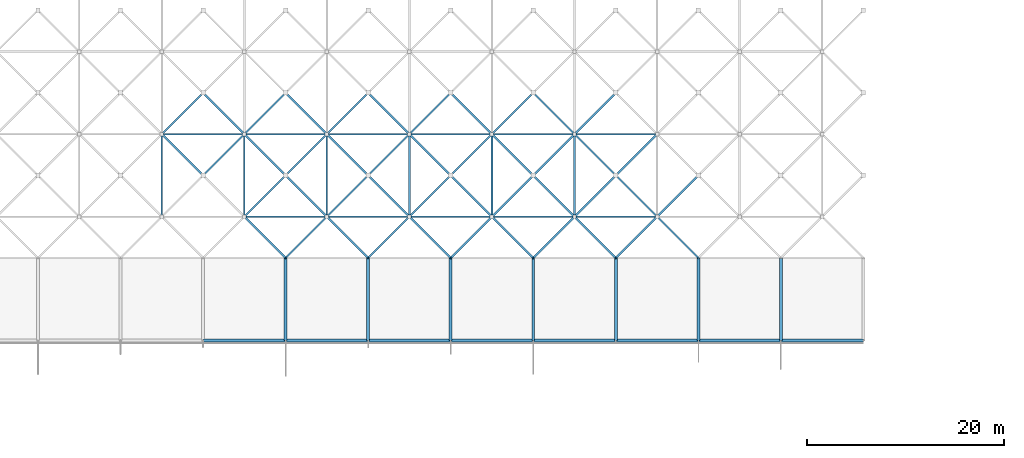
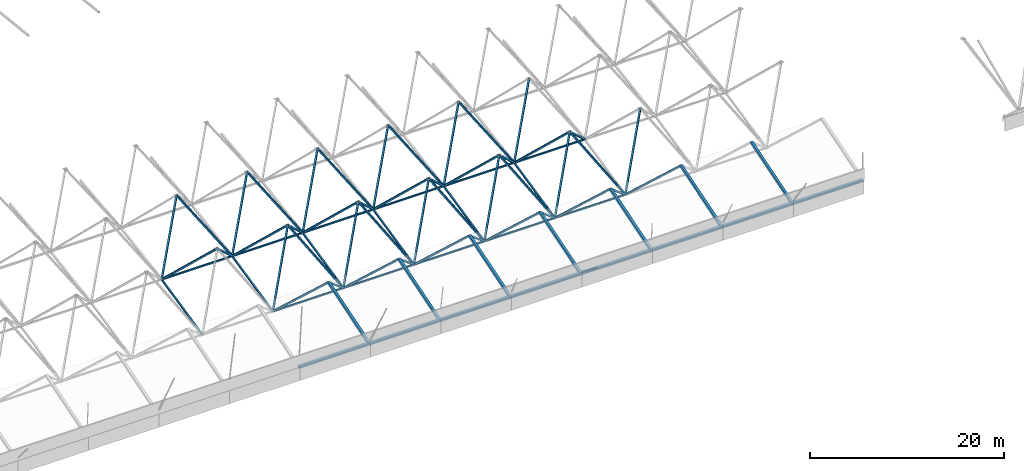
# One storey, part 16 of 85: 77 members.
"""IFC4 building model written with IfcOpenShell, lengths in metres."""

from ifc_helpers import new_model, si_unit, direction, frame, origin, origin_2d, place, context, subcontext, project, spatial, hollow_rectangle, extrude, material, material_profile, profile_set, type_object, element, save


model = new_model("IFC4")

# Units and contexts
model_context = context("Model", 3, precision=1e-05, world=origin(), true_north=direction((0.0, 1.0)))
body_context = subcontext(model_context, "Body", "Model", "MODEL_VIEW")
ifc_project = project(units=[si_unit("LENGTHUNIT", "METRE"), si_unit("AREAUNIT", "SQUARE_METRE"), si_unit("VOLUMEUNIT", "CUBIC_METRE"), si_unit("PLANEANGLEUNIT", "RADIAN"), si_unit("MASSUNIT", "GRAM", prefix="KILO")], contexts=[model_context])

# Site, building, storey
site_placement = place(None, origin())
site = spatial("IfcSite", under=ifc_project, at=site_placement, CompositionType="ELEMENT")
building_placement = place(site_placement, origin())
building = spatial("IfcBuilding", under=site, at=building_placement, Name="Rain Tree Exposition and Congress Centre", CompositionType="ELEMENT")
storey_placement = place(building_placement, frame((0.0, 0.0, 15.0)))
storey = spatial("IfcBuildingStorey", under=building, at=storey_placement, Name="L03", CompositionType="ELEMENT", Elevation=15.0)

# Members
ifc_material_1 = material(Name="Steel S355J2H", Category="steel")
ifc_material_profile_1 = material_profile(ifc_material_1, hollow_rectangle(XDim=0.199951171875, YDim=0.199951171875, WallThickness=0.009033203125, at=origin_2d()), Name="RHS 200x200x9")
ifc_profile_set_1 = profile_set([ifc_material_profile_1], Name="Steel S355J2H")
member_type_1 = type_object("IfcMemberType", Name="Steel brace member RHS 200x200x9", PredefinedType="BRACE", material=ifc_profile_set_1)
member_1_placement = place(storey_placement, frame((63.0, 113.39990234375, 0.732666015625), z_axis=(0.55295469561, -0.55295469561, 0.62328341002), x_axis=(0.707106781187, 0.707106781187, 0.0)))
element("IfcMember", 1, at=member_1_placement, inside=storey, type_object=member_type_1, Name="Diagonal 483", PredefinedType="BRACE", context=body_context, shape_type="SweptSolid", body=[
    extrude(hollow_rectangle(XDim=0.199951171875, YDim=0.199951171875, WallThickness=0.009033203125, at=origin_2d()), origin(), (0.0, 0.0, 1.0), 7.595458984375),
])
member_2_placement = place(storey_placement, frame((63.0, 113.39990234375, 0.732666015625), z_axis=(0.46355813556, 0.463585081915, 0.755117690682), x_axis=(-0.707127332136, 0.70708622964, 0.0)))
element("IfcMember", 2, at=member_2_placement, inside=storey, type_object=member_type_1, Name="Diagonal 485", PredefinedType="BRACE", context=body_context, shape_type="SweptSolid", body=[
    extrude(hollow_rectangle(XDim=0.199951171875, YDim=0.199951171875, WallThickness=0.009033203125, at=origin_2d()), origin(), (0.0, 0.0, 1.0), 9.060302734375),
])
member_3_placement = place(storey_placement, frame((71.39990234375, 113.39990234375, 0.732666015625), z_axis=(-0.55295469561, -0.55295469561, 0.62328341002), x_axis=(0.707106781187, -0.707106781187, 0.0)))
element("IfcMember", 3, at=member_3_placement, inside=storey, type_object=member_type_1, Name="Diagonal 488", PredefinedType="BRACE", context=body_context, shape_type="SweptSolid", body=[
    extrude(hollow_rectangle(XDim=0.199951171875, YDim=0.199951171875, WallThickness=0.009033203125, at=origin_2d()), origin(), (0.0, 0.0, 1.0), 7.595458984375),
])
member_4_placement = place(storey_placement, frame((71.39990234375, 113.39990234375, 0.732666015625), z_axis=(0.552977009953, -0.552944867602, 0.623272332016), x_axis=(0.70708622964, 0.707127332136, 0.0)))
element("IfcMember", 4, at=member_4_placement, inside=storey, type_object=member_type_1, Name="Diagonal 489", PredefinedType="BRACE", context=body_context, shape_type="SweptSolid", body=[
    extrude(hollow_rectangle(XDim=0.199951171875, YDim=0.199951171875, WallThickness=0.009033203125, at=origin_2d()), origin(), (0.0, 0.0, 1.0), 7.595703125),
])
for number, where, z_axis, x_axis, name in (
    (5, (71.39990234375, 113.39990234375, 0.732666015625), (-0.46355813556, 0.463585081915, 0.755117690682), (-0.707127332136, -0.70708622964, 0.0), "Diagonal 490"),
    (6, (71.39990234375, 113.39990234375, 0.732666015625), (0.46357929112, 0.46357929112, 0.755108258258), (-0.707106781187, 0.707106781187, 0.0), "Diagonal 491"),
):
    element("IfcMember", number, at=place(storey_placement, frame(where, z_axis=z_axis, x_axis=x_axis)), inside=storey, type_object=member_type_1, Name=name, PredefinedType="BRACE", context=body_context, shape_type="SweptSolid", body=[
        extrude(hollow_rectangle(XDim=0.199951171875, YDim=0.199951171875, WallThickness=0.009033203125, at=origin_2d()), origin(), (0.0, 0.0, 1.0), 9.060302734375),
    ])
for number, where, z_axis, x_axis, name in (
    (7, (79.800048828125, 113.39990234375, 0.732666015625), (-0.55295469561, -0.55295469561, 0.62328341002), (0.707106781187, -0.707106781187, 0.0), "Diagonal 494"),
    (8, (79.800048828125, 113.39990234375, 0.732666015625), (0.55295469561, -0.55295469561, 0.62328341002), (0.707106781187, 0.707106781187, 0.0), "Diagonal 495"),
):
    element("IfcMember", number, at=place(storey_placement, frame(where, z_axis=z_axis, x_axis=x_axis)), inside=storey, type_object=member_type_1, Name=name, PredefinedType="BRACE", context=body_context, shape_type="SweptSolid", body=[
        extrude(hollow_rectangle(XDim=0.199951171875, YDim=0.199951171875, WallThickness=0.009033203125, at=origin_2d()), origin(), (0.0, 0.0, 1.0), 7.595458984375),
    ])
for number, where, z_axis, x_axis, name in (
    (9, (79.800048828125, 113.39990234375, 0.732666015625), (-0.46355813556, 0.463585081915, 0.755117690682), (-0.707127332136, -0.70708622964, 0.0), "Diagonal 496"),
    (10, (79.800048828125, 113.39990234375, 0.732666015625), (0.46355813556, 0.463585081915, 0.755117690682), (-0.707127332136, 0.70708622964, 0.0), "Diagonal 497"),
):
    element("IfcMember", number, at=place(storey_placement, frame(where, z_axis=z_axis, x_axis=x_axis)), inside=storey, type_object=member_type_1, Name=name, PredefinedType="BRACE", context=body_context, shape_type="SweptSolid", body=[
        extrude(hollow_rectangle(XDim=0.199951171875, YDim=0.199951171875, WallThickness=0.009033203125, at=origin_2d()), origin(), (0.0, 0.0, 1.0), 9.060302734375),
    ])
for number, where, z_axis, x_axis, name in (
    (11, (88.199951171875, 113.39990234375, 0.732666015625), (-0.55295469561, -0.55295469561, 0.62328341002), (0.707106781187, -0.707106781187, 0.0), "Diagonal 500"),
    (12, (88.199951171875, 113.39990234375, 0.732666015625), (0.55295469561, -0.55295469561, 0.62328341002), (0.707106781187, 0.707106781187, 0.0), "Diagonal 501"),
):
    element("IfcMember", number, at=place(storey_placement, frame(where, z_axis=z_axis, x_axis=x_axis)), inside=storey, type_object=member_type_1, Name=name, PredefinedType="BRACE", context=body_context, shape_type="SweptSolid", body=[
        extrude(hollow_rectangle(XDim=0.199951171875, YDim=0.199951171875, WallThickness=0.009033203125, at=origin_2d()), origin(), (0.0, 0.0, 1.0), 7.595458984375),
    ])
for number, where, z_axis, x_axis, name in (
    (13, (88.199951171875, 113.39990234375, 0.732666015625), (-0.46355813556, 0.463585081915, 0.755117690682), (-0.707127332136, -0.70708622964, 0.0), "Diagonal 502"),
    (14, (88.199951171875, 113.39990234375, 0.732666015625), (0.46355813556, 0.463585081915, 0.755117690682), (-0.707127332136, 0.70708622964, 0.0), "Diagonal 503"),
):
    element("IfcMember", number, at=place(storey_placement, frame(where, z_axis=z_axis, x_axis=x_axis)), inside=storey, type_object=member_type_1, Name=name, PredefinedType="BRACE", context=body_context, shape_type="SweptSolid", body=[
        extrude(hollow_rectangle(XDim=0.199951171875, YDim=0.199951171875, WallThickness=0.009033203125, at=origin_2d()), origin(), (0.0, 0.0, 1.0), 9.060302734375),
    ])
member_5_placement = place(storey_placement, frame((96.60009765625, 113.39990234375, 0.732666015625), z_axis=(-0.552977009953, -0.552944867602, 0.623272332016), x_axis=(0.70708622964, -0.707127332136, 0.0)))
element("IfcMember", 15, at=member_5_placement, inside=storey, type_object=member_type_1, Name="Diagonal 506", PredefinedType="BRACE", context=body_context, shape_type="SweptSolid", body=[
    extrude(hollow_rectangle(XDim=0.199951171875, YDim=0.199951171875, WallThickness=0.009033203125, at=origin_2d()), origin(), (0.0, 0.0, 1.0), 7.595703125),
])
member_6_placement = place(storey_placement, frame((96.60009765625, 113.39990234375, 0.732666015625), z_axis=(0.55295469561, -0.55295469561, 0.62328341002), x_axis=(0.707106781187, 0.707106781187, 0.0)))
element("IfcMember", 16, at=member_6_placement, inside=storey, type_object=member_type_1, Name="Diagonal 507", PredefinedType="BRACE", context=body_context, shape_type="SweptSolid", body=[
    extrude(hollow_rectangle(XDim=0.199951171875, YDim=0.199951171875, WallThickness=0.009033203125, at=origin_2d()), origin(), (0.0, 0.0, 1.0), 7.595458984375),
])
for number, where, z_axis, x_axis, name in (
    (17, (96.60009765625, 113.39990234375, 0.732666015625), (-0.46357929112, 0.46357929112, 0.755108258258), (-0.707106781187, -0.707106781187, 0.0), "Diagonal 508"),
    (18, (96.60009765625, 113.39990234375, 0.732666015625), (0.46355813556, 0.463585081915, 0.755117690682), (-0.707127332136, 0.70708622964, 0.0), "Diagonal 509"),
):
    element("IfcMember", number, at=place(storey_placement, frame(where, z_axis=z_axis, x_axis=x_axis)), inside=storey, type_object=member_type_1, Name=name, PredefinedType="BRACE", context=body_context, shape_type="SweptSolid", body=[
        extrude(hollow_rectangle(XDim=0.199951171875, YDim=0.199951171875, WallThickness=0.009033203125, at=origin_2d()), origin(), (0.0, 0.0, 1.0), 9.060302734375),
    ])
for number, where, z_axis, x_axis, name in (
    (19, (105.0, 113.39990234375, 0.732666015625), (-0.55295469561, -0.55295469561, 0.62328341002), (0.707106781187, -0.707106781187, 0.0), "Diagonal 512"),
    (20, (105.0, 113.39990234375, 0.732666015625), (0.55295469561, -0.55295469561, 0.62328341002), (0.707106781187, 0.707106781187, 0.0), "Diagonal 513"),
):
    element("IfcMember", number, at=place(storey_placement, frame(where, z_axis=z_axis, x_axis=x_axis)), inside=storey, type_object=member_type_1, Name=name, PredefinedType="BRACE", context=body_context, shape_type="SweptSolid", body=[
        extrude(hollow_rectangle(XDim=0.199951171875, YDim=0.199951171875, WallThickness=0.009033203125, at=origin_2d()), origin(), (0.0, 0.0, 1.0), 7.595458984375),
    ])
for number, where, z_axis, x_axis, name in (
    (21, (105.0, 113.39990234375, 0.732666015625), (-0.46355813556, 0.463585081915, 0.755117690682), (-0.707127332136, -0.70708622964, 0.0), "Diagonal 514"),
    (22, (105.0, 113.39990234375, 0.732666015625), (0.46355813556, 0.463585081915, 0.755117690682), (-0.707127332136, 0.70708622964, 0.0), "Diagonal 515"),
):
    element("IfcMember", number, at=place(storey_placement, frame(where, z_axis=z_axis, x_axis=x_axis)), inside=storey, type_object=member_type_1, Name=name, PredefinedType="BRACE", context=body_context, shape_type="SweptSolid", body=[
        extrude(hollow_rectangle(XDim=0.199951171875, YDim=0.199951171875, WallThickness=0.009033203125, at=origin_2d()), origin(), (0.0, 0.0, 1.0), 9.060302734375),
    ])
member_7_placement = place(storey_placement, frame((54.60009765625, 121.800048828125, 2.593505859375), z_axis=(0.541820128628, -0.541820128628, 0.642543303153), x_axis=(0.707106781187, 0.707106781187, 0.0)))
element("IfcMember", 23, at=member_7_placement, inside=storey, type_object=member_type_1, Name="Diagonal 560", PredefinedType="BRACE", context=body_context, shape_type="SweptSolid", body=[
    extrude(hollow_rectangle(XDim=0.199951171875, YDim=0.199951171875, WallThickness=0.009033203125, at=origin_2d()), origin(), (0.0, 0.0, 1.0), 7.75146484375),
])
member_8_placement = place(storey_placement, frame((54.60009765625, 121.800048828125, 2.593505859375), z_axis=(0.473028594838, 0.473028594838, 0.743295295917), x_axis=(-0.707106781187, 0.707106781187, 0.0)))
element("IfcMember", 24, at=member_8_placement, inside=storey, type_object=member_type_1, Name="Diagonal 562", PredefinedType="BRACE", context=body_context, shape_type="SweptSolid", body=[
    extrude(hollow_rectangle(XDim=0.199951171875, YDim=0.199951171875, WallThickness=0.009033203125, at=origin_2d()), origin(), (0.0, 0.0, 1.0), 8.87890625),
])
for number, where, z_axis, x_axis, name in (
    (25, (63.0, 121.800048828125, 2.593505859375), (-0.541820128628, -0.541820128628, 0.642543303153), (0.707106781187, -0.707106781187, 0.0), "Diagonal 565"),
    (26, (63.0, 121.800048828125, 2.593505859375), (0.541820128628, -0.541820128628, 0.642543303153), (0.707106781187, 0.707106781187, 0.0), "Diagonal 566"),
):
    element("IfcMember", number, at=place(storey_placement, frame(where, z_axis=z_axis, x_axis=x_axis)), inside=storey, type_object=member_type_1, Name=name, PredefinedType="BRACE", context=body_context, shape_type="SweptSolid", body=[
        extrude(hollow_rectangle(XDim=0.199951171875, YDim=0.199951171875, WallThickness=0.009033203125, at=origin_2d()), origin(), (0.0, 0.0, 1.0), 7.75146484375),
    ])
for number, where, z_axis, x_axis, name in (
    (27, (63.0, 121.800048828125, 2.593505859375), (-0.473028594838, 0.473028594838, 0.743295295917), (-0.707106781187, -0.707106781187, 0.0), "Diagonal 567"),
    (28, (63.0, 121.800048828125, 2.593505859375), (0.473028594838, 0.473028594838, 0.743295295917), (-0.707106781187, 0.707106781187, 0.0), "Diagonal 568"),
):
    element("IfcMember", number, at=place(storey_placement, frame(where, z_axis=z_axis, x_axis=x_axis)), inside=storey, type_object=member_type_1, Name=name, PredefinedType="BRACE", context=body_context, shape_type="SweptSolid", body=[
        extrude(hollow_rectangle(XDim=0.199951171875, YDim=0.199951171875, WallThickness=0.009033203125, at=origin_2d()), origin(), (0.0, 0.0, 1.0), 8.87890625),
    ])
member_9_placement = place(storey_placement, frame((71.39990234375, 121.800048828125, 2.593505859375), z_axis=(-0.541820128628, -0.541820128628, 0.642543303153), x_axis=(0.707106781187, -0.707106781187, 0.0)))
element("IfcMember", 29, at=member_9_placement, inside=storey, type_object=member_type_1, Name="Diagonal 571", PredefinedType="BRACE", context=body_context, shape_type="SweptSolid", body=[
    extrude(hollow_rectangle(XDim=0.199951171875, YDim=0.199951171875, WallThickness=0.009033203125, at=origin_2d()), origin(), (0.0, 0.0, 1.0), 7.75146484375),
])
member_10_placement = place(storey_placement, frame((71.39990234375, 121.800048828125, 2.593505859375), z_axis=(0.541842377579, -0.54181088244, 0.642532338119), x_axis=(0.70708622964, 0.707127332136, 0.0)))
element("IfcMember", 30, at=member_10_placement, inside=storey, type_object=member_type_1, Name="Diagonal 572", PredefinedType="BRACE", context=body_context, shape_type="SweptSolid", body=[
    extrude(hollow_rectangle(XDim=0.199951171875, YDim=0.199951171875, WallThickness=0.009033203125, at=origin_2d()), origin(), (0.0, 0.0, 1.0), 7.751708984375),
])
for number, where, z_axis, x_axis, name in (
    (31, (71.39990234375, 121.800048828125, 2.593505859375), (-0.473028594838, 0.473028594838, 0.743295295917), (-0.707106781187, -0.707106781187, 0.0), "Diagonal 573"),
    (32, (71.39990234375, 121.800048828125, 2.593505859375), (0.473049938698, 0.473022442189, 0.743285627928), (-0.70708622964, 0.707127332136, 0.0), "Diagonal 574"),
):
    element("IfcMember", number, at=place(storey_placement, frame(where, z_axis=z_axis, x_axis=x_axis)), inside=storey, type_object=member_type_1, Name=name, PredefinedType="BRACE", context=body_context, shape_type="SweptSolid", body=[
        extrude(hollow_rectangle(XDim=0.199951171875, YDim=0.199951171875, WallThickness=0.009033203125, at=origin_2d()), origin(), (0.0, 0.0, 1.0), 8.87890625),
    ])
for number, where, z_axis, x_axis, name in (
    (33, (79.800048828125, 121.800048828125, 2.593505859375), (-0.541820128628, -0.541820128628, 0.642543303153), (0.707106781187, -0.707106781187, 0.0), "Diagonal 577"),
    (34, (79.800048828125, 121.800048828125, 2.593505859375), (0.541820128628, -0.541820128628, 0.642543303153), (0.707106781187, 0.707106781187, 0.0), "Diagonal 578"),
):
    element("IfcMember", number, at=place(storey_placement, frame(where, z_axis=z_axis, x_axis=x_axis)), inside=storey, type_object=member_type_1, Name=name, PredefinedType="BRACE", context=body_context, shape_type="SweptSolid", body=[
        extrude(hollow_rectangle(XDim=0.199951171875, YDim=0.199951171875, WallThickness=0.009033203125, at=origin_2d()), origin(), (0.0, 0.0, 1.0), 7.75146484375),
    ])
for number, where, z_axis, x_axis, name in (
    (35, (79.800048828125, 121.800048828125, 2.593505859375), (-0.473028594838, 0.473028594838, 0.743295295917), (-0.707106781187, -0.707106781187, 0.0), "Diagonal 579"),
    (36, (79.800048828125, 121.800048828125, 2.593505859375), (0.473028594838, 0.473028594838, 0.743295295917), (-0.707106781187, 0.707106781187, 0.0), "Diagonal 580"),
):
    element("IfcMember", number, at=place(storey_placement, frame(where, z_axis=z_axis, x_axis=x_axis)), inside=storey, type_object=member_type_1, Name=name, PredefinedType="BRACE", context=body_context, shape_type="SweptSolid", body=[
        extrude(hollow_rectangle(XDim=0.199951171875, YDim=0.199951171875, WallThickness=0.009033203125, at=origin_2d()), origin(), (0.0, 0.0, 1.0), 8.87890625),
    ])
for number, where, z_axis, x_axis, name in (
    (37, (88.199951171875, 121.800048828125, 2.593505859375), (-0.541820128628, -0.541820128628, 0.642543303153), (0.707106781187, -0.707106781187, 0.0), "Diagonal 583"),
    (38, (88.199951171875, 121.800048828125, 2.593505859375), (0.541820128628, -0.541820128628, 0.642543303153), (0.707106781187, 0.707106781187, 0.0), "Diagonal 584"),
):
    element("IfcMember", number, at=place(storey_placement, frame(where, z_axis=z_axis, x_axis=x_axis)), inside=storey, type_object=member_type_1, Name=name, PredefinedType="BRACE", context=body_context, shape_type="SweptSolid", body=[
        extrude(hollow_rectangle(XDim=0.199951171875, YDim=0.199951171875, WallThickness=0.009033203125, at=origin_2d()), origin(), (0.0, 0.0, 1.0), 7.75146484375),
    ])
for number, where, z_axis, x_axis, name in (
    (39, (88.199951171875, 121.800048828125, 2.593505859375), (-0.473028594838, 0.473028594838, 0.743295295917), (-0.707106781187, -0.707106781187, 0.0), "Diagonal 585"),
    (40, (88.199951171875, 121.800048828125, 2.593505859375), (0.473028594838, 0.473028594838, 0.743295295917), (-0.707106781187, 0.707106781187, 0.0), "Diagonal 586"),
):
    element("IfcMember", number, at=place(storey_placement, frame(where, z_axis=z_axis, x_axis=x_axis)), inside=storey, type_object=member_type_1, Name=name, PredefinedType="BRACE", context=body_context, shape_type="SweptSolid", body=[
        extrude(hollow_rectangle(XDim=0.199951171875, YDim=0.199951171875, WallThickness=0.009033203125, at=origin_2d()), origin(), (0.0, 0.0, 1.0), 8.87890625),
    ])
member_11_placement = place(storey_placement, frame((96.60009765625, 121.800048828125, 2.593505859375), z_axis=(-0.541842377579, -0.54181088244, 0.642532338119), x_axis=(0.70708622964, -0.707127332136, 0.0)))
element("IfcMember", 41, at=member_11_placement, inside=storey, type_object=member_type_1, Name="Diagonal 589", PredefinedType="BRACE", context=body_context, shape_type="SweptSolid", body=[
    extrude(hollow_rectangle(XDim=0.199951171875, YDim=0.199951171875, WallThickness=0.009033203125, at=origin_2d()), origin(), (0.0, 0.0, 1.0), 7.751708984375),
])
member_12_placement = place(storey_placement, frame((96.60009765625, 121.800048828125, 2.593505859375), z_axis=(0.541820128628, -0.541820128628, 0.642543303153), x_axis=(0.707106781187, 0.707106781187, 0.0)))
element("IfcMember", 42, at=member_12_placement, inside=storey, type_object=member_type_1, Name="Diagonal 590", PredefinedType="BRACE", context=body_context, shape_type="SweptSolid", body=[
    extrude(hollow_rectangle(XDim=0.199951171875, YDim=0.199951171875, WallThickness=0.009033203125, at=origin_2d()), origin(), (0.0, 0.0, 1.0), 7.75146484375),
])
for number, where, z_axis, x_axis, name in (
    (43, (96.60009765625, 121.800048828125, 2.593505859375), (-0.473049938698, 0.473022442189, 0.743285627928), (-0.70708622964, -0.707127332136, 0.0), "Diagonal 591"),
    (44, (96.60009765625, 121.800048828125, 2.593505859375), (0.473028594838, 0.473028594838, 0.743295295917), (-0.707106781187, 0.707106781187, 0.0), "Diagonal 592"),
):
    element("IfcMember", number, at=place(storey_placement, frame(where, z_axis=z_axis, x_axis=x_axis)), inside=storey, type_object=member_type_1, Name=name, PredefinedType="BRACE", context=body_context, shape_type="SweptSolid", body=[
        extrude(hollow_rectangle(XDim=0.199951171875, YDim=0.199951171875, WallThickness=0.009033203125, at=origin_2d()), origin(), (0.0, 0.0, 1.0), 8.87890625),
    ])
member_13_placement = place(storey_placement, frame((105.0, 121.800048828125, 2.593505859375), z_axis=(-0.541820128628, -0.541820128628, 0.642543303153), x_axis=(0.707106781187, -0.707106781187, 0.0)))
element("IfcMember", 45, at=member_13_placement, inside=storey, type_object=member_type_1, Name="Diagonal 595", PredefinedType="BRACE", context=body_context, shape_type="SweptSolid", body=[
    extrude(hollow_rectangle(XDim=0.199951171875, YDim=0.199951171875, WallThickness=0.009033203125, at=origin_2d()), origin(), (0.0, 0.0, 1.0), 7.75146484375),
])
ifc_material_2 = material(Name="Steel S355J2H", Category="steel")
ifc_material_profile_2 = material_profile(ifc_material_2, hollow_rectangle(XDim=0.175048828125, YDim=0.175048828125, WallThickness=0.006103515625, at=origin_2d()), Name="RHS 175x175x6")
ifc_profile_set_2 = profile_set([ifc_material_profile_2], Name="Steel S355J2H")
member_type_2 = type_object("IfcMemberType", Name="Steel chord member RHS 175x175x6", PredefinedType="CHORD", material=ifc_profile_set_2)
member_14_placement = place(storey_placement, frame((54.60009765625, 113.39990234375, 0.732666015625), z_axis=(0.0, 0.976331061019, 0.216281435379), x_axis=(-1.0, 0.0, 0.0)))
element("IfcMember", 46, at=member_14_placement, inside=storey, type_object=member_type_2, Name="Bottom chord 481", PredefinedType="CHORD", context=body_context, shape_type="SweptSolid", body=[
    extrude(hollow_rectangle(XDim=0.175048828125, YDim=0.175048828125, WallThickness=0.006103515625, at=origin_2d()), origin(), (0.0, 0.0, 1.0), 8.603759765625),
])
member_15_placement = place(storey_placement, frame((63.0, 113.39990234375, 0.732666015625), z_axis=(1.0, 0.0, 0.0), x_axis=(0.0, 1.0, 0.0)))
element("IfcMember", 47, at=member_15_placement, inside=storey, type_object=member_type_2, Name="Bottom chord 486", PredefinedType="CHORD", context=body_context, shape_type="SweptSolid", body=[
    extrude(hollow_rectangle(XDim=0.175048828125, YDim=0.175048828125, WallThickness=0.006103515625, at=origin_2d()), origin(), (0.0, 0.0, 1.0), 8.39990234375),
])
member_16_placement = place(storey_placement, frame((63.0, 113.39990234375, 0.732666015625), z_axis=(0.0, 0.976331061019, 0.216281435379), x_axis=(-1.0, 0.0, 0.0)))
element("IfcMember", 48, at=member_16_placement, inside=storey, type_object=member_type_2, Name="Bottom chord 487", PredefinedType="CHORD", context=body_context, shape_type="SweptSolid", body=[
    extrude(hollow_rectangle(XDim=0.175048828125, YDim=0.175048828125, WallThickness=0.006103515625, at=origin_2d()), origin(), (0.0, 0.0, 1.0), 8.603759765625),
])
member_17_placement = place(storey_placement, frame((71.39990234375, 113.39990234375, 0.732666015625), z_axis=(1.0, 0.0, 0.0), x_axis=(0.0, 1.0, 0.0)))
element("IfcMember", 49, at=member_17_placement, inside=storey, type_object=member_type_2, Name="Bottom chord 492", PredefinedType="CHORD", context=body_context, shape_type="SweptSolid", body=[
    extrude(hollow_rectangle(XDim=0.175048828125, YDim=0.175048828125, WallThickness=0.006103515625, at=origin_2d()), origin(), (0.0, 0.0, 1.0), 8.400146484375),
])
member_18_placement = place(storey_placement, frame((71.39990234375, 113.39990234375, 0.732666015625), z_axis=(0.0, 0.976331061019, 0.216281435379), x_axis=(-1.0, 0.0, 0.0)))
element("IfcMember", 50, at=member_18_placement, inside=storey, type_object=member_type_2, Name="Bottom chord 493", PredefinedType="CHORD", context=body_context, shape_type="SweptSolid", body=[
    extrude(hollow_rectangle(XDim=0.175048828125, YDim=0.175048828125, WallThickness=0.006103515625, at=origin_2d()), origin(), (0.0, 0.0, 1.0), 8.603759765625),
])
member_19_placement = place(storey_placement, frame((79.800048828125, 113.39990234375, 0.732666015625), z_axis=(1.0, 0.0, 0.0), x_axis=(0.0, 1.0, 0.0)))
element("IfcMember", 51, at=member_19_placement, inside=storey, type_object=member_type_2, Name="Bottom chord 498", PredefinedType="CHORD", context=body_context, shape_type="SweptSolid", body=[
    extrude(hollow_rectangle(XDim=0.175048828125, YDim=0.175048828125, WallThickness=0.006103515625, at=origin_2d()), origin(), (0.0, 0.0, 1.0), 8.39990234375),
])
member_20_placement = place(storey_placement, frame((79.800048828125, 113.39990234375, 0.732666015625), z_axis=(0.0, 0.976331061019, 0.216281435379), x_axis=(-1.0, 0.0, 0.0)))
element("IfcMember", 52, at=member_20_placement, inside=storey, type_object=member_type_2, Name="Bottom chord 499", PredefinedType="CHORD", context=body_context, shape_type="SweptSolid", body=[
    extrude(hollow_rectangle(XDim=0.175048828125, YDim=0.175048828125, WallThickness=0.006103515625, at=origin_2d()), origin(), (0.0, 0.0, 1.0), 8.603759765625),
])
member_21_placement = place(storey_placement, frame((88.199951171875, 113.39990234375, 0.732666015625), z_axis=(1.0, 0.0, 0.0), x_axis=(0.0, 1.0, 0.0)))
element("IfcMember", 53, at=member_21_placement, inside=storey, type_object=member_type_2, Name="Bottom chord 504", PredefinedType="CHORD", context=body_context, shape_type="SweptSolid", body=[
    extrude(hollow_rectangle(XDim=0.175048828125, YDim=0.175048828125, WallThickness=0.006103515625, at=origin_2d()), origin(), (0.0, 0.0, 1.0), 8.400146484375),
])
member_22_placement = place(storey_placement, frame((88.199951171875, 113.39990234375, 0.732666015625), z_axis=(0.0, 0.976331061019, 0.216281435379), x_axis=(-1.0, 0.0, 0.0)))
element("IfcMember", 54, at=member_22_placement, inside=storey, type_object=member_type_2, Name="Bottom chord 505", PredefinedType="CHORD", context=body_context, shape_type="SweptSolid", body=[
    extrude(hollow_rectangle(XDim=0.175048828125, YDim=0.175048828125, WallThickness=0.006103515625, at=origin_2d()), origin(), (0.0, 0.0, 1.0), 8.603759765625),
])
member_23_placement = place(storey_placement, frame((96.60009765625, 113.39990234375, 0.732666015625), z_axis=(1.0, 0.0, 0.0), x_axis=(0.0, 1.0, 0.0)))
element("IfcMember", 55, at=member_23_placement, inside=storey, type_object=member_type_2, Name="Bottom chord 510", PredefinedType="CHORD", context=body_context, shape_type="SweptSolid", body=[
    extrude(hollow_rectangle(XDim=0.175048828125, YDim=0.175048828125, WallThickness=0.006103515625, at=origin_2d()), origin(), (0.0, 0.0, 1.0), 8.39990234375),
])
member_24_placement = place(storey_placement, frame((96.60009765625, 113.39990234375, 0.732666015625), z_axis=(0.0, 0.976331061019, 0.216281435379), x_axis=(-1.0, 0.0, 0.0)))
element("IfcMember", 56, at=member_24_placement, inside=storey, type_object=member_type_2, Name="Bottom chord 511", PredefinedType="CHORD", context=body_context, shape_type="SweptSolid", body=[
    extrude(hollow_rectangle(XDim=0.175048828125, YDim=0.175048828125, WallThickness=0.006103515625, at=origin_2d()), origin(), (0.0, 0.0, 1.0), 8.603759765625),
])
for number, where, z_axis, x_axis, name in (
    (57, (54.60009765625, 121.800048828125, 2.593505859375), (1.0, 0.0, 0.0), (0.0, 1.0, 0.0), "Bottom chord 563"),
    (58, (63.0, 121.800048828125, 2.593505859375), (1.0, 0.0, 0.0), (0.0, 1.0, 0.0), "Bottom chord 569"),
):
    element("IfcMember", number, at=place(storey_placement, frame(where, z_axis=z_axis, x_axis=x_axis)), inside=storey, type_object=member_type_2, Name=name, PredefinedType="CHORD", context=body_context, shape_type="SweptSolid", body=[
        extrude(hollow_rectangle(XDim=0.175048828125, YDim=0.175048828125, WallThickness=0.006103515625, at=origin_2d()), origin(), (0.0, 0.0, 1.0), 8.39990234375),
    ])
member_25_placement = place(storey_placement, frame((71.39990234375, 121.800048828125, 2.593505859375), z_axis=(1.0, 0.0, 0.0), x_axis=(0.0, 1.0, 0.0)))
element("IfcMember", 59, at=member_25_placement, inside=storey, type_object=member_type_2, Name="Bottom chord 575", PredefinedType="CHORD", context=body_context, shape_type="SweptSolid", body=[
    extrude(hollow_rectangle(XDim=0.175048828125, YDim=0.175048828125, WallThickness=0.006103515625, at=origin_2d()), origin(), (0.0, 0.0, 1.0), 8.400146484375),
])
member_26_placement = place(storey_placement, frame((79.800048828125, 121.800048828125, 2.593505859375), z_axis=(1.0, 0.0, 0.0), x_axis=(0.0, 1.0, 0.0)))
element("IfcMember", 60, at=member_26_placement, inside=storey, type_object=member_type_2, Name="Bottom chord 581", PredefinedType="CHORD", context=body_context, shape_type="SweptSolid", body=[
    extrude(hollow_rectangle(XDim=0.175048828125, YDim=0.175048828125, WallThickness=0.006103515625, at=origin_2d()), origin(), (0.0, 0.0, 1.0), 8.39990234375),
])
member_27_placement = place(storey_placement, frame((88.199951171875, 121.800048828125, 2.593505859375), z_axis=(1.0, 0.0, 0.0), x_axis=(0.0, 1.0, 0.0)))
element("IfcMember", 61, at=member_27_placement, inside=storey, type_object=member_type_2, Name="Bottom chord 587", PredefinedType="CHORD", context=body_context, shape_type="SweptSolid", body=[
    extrude(hollow_rectangle(XDim=0.175048828125, YDim=0.175048828125, WallThickness=0.006103515625, at=origin_2d()), origin(), (0.0, 0.0, 1.0), 8.400146484375),
])
member_28_placement = place(storey_placement, frame((96.60009765625, 121.800048828125, 2.593505859375), z_axis=(1.0, 0.0, 0.0), x_axis=(0.0, 1.0, 0.0)))
element("IfcMember", 62, at=member_28_placement, inside=storey, type_object=member_type_2, Name="Bottom chord 593", PredefinedType="CHORD", context=body_context, shape_type="SweptSolid", body=[
    extrude(hollow_rectangle(XDim=0.175048828125, YDim=0.175048828125, WallThickness=0.006103515625, at=origin_2d()), origin(), (0.0, 0.0, 1.0), 8.39990234375),
])
ifc_material_3 = material(Name="Steel S355J2H", Category="steel")
ifc_material_profile_3 = material_profile(ifc_material_3, hollow_rectangle(XDim=0.300048828125, YDim=0.300048828125, WallThickness=0.009033203125, at=origin_2d()), Name="RHS 300x300x9")
ifc_profile_set_3 = profile_set([ifc_material_profile_3], Name="Steel S355J2H")
member_type_3 = type_object("IfcMemberType", Name="Steel chord member RHS 300x300x9", PredefinedType="CHORD", material=ifc_profile_set_3)
member_29_placement = place(storey_placement, frame((58.800048828125, 100.800048828125, 2.85009765625), z_axis=(1.0, 0.0, 0.0), x_axis=(0.0, 1.0, 0.0)))
element("IfcMember", 63, at=member_29_placement, inside=storey, type_object=member_type_3, Name="Top chord 7", PredefinedType="CHORD", context=body_context, shape_type="SweptSolid", body=[
    extrude(hollow_rectangle(XDim=0.300048828125, YDim=0.300048828125, WallThickness=0.009033203125, at=origin_2d()), origin(), (0.0, 0.0, 1.0), 8.39990234375),
])
member_30_placement = place(storey_placement, frame((67.199951171875, 100.800048828125, 2.85009765625), z_axis=(1.0, 0.0, 0.0), x_axis=(0.0, 1.0, 0.0)))
element("IfcMember", 64, at=member_30_placement, inside=storey, type_object=member_type_3, Name="Top chord 8", PredefinedType="CHORD", context=body_context, shape_type="SweptSolid", body=[
    extrude(hollow_rectangle(XDim=0.300048828125, YDim=0.300048828125, WallThickness=0.009033203125, at=origin_2d()), origin(), (0.0, 0.0, 1.0), 8.400146484375),
])
for number, where, z_axis, x_axis, name in (
    (65, (75.60009765625, 100.800048828125, 2.85009765625), (1.0, 0.0, 0.0), (0.0, 1.0, 0.0), "Top chord 9"),
    (66, (84.0, 100.800048828125, 2.85009765625), (1.0, 0.0, 0.0), (0.0, 1.0, 0.0), "Top chord 10"),
):
    element("IfcMember", number, at=place(storey_placement, frame(where, z_axis=z_axis, x_axis=x_axis)), inside=storey, type_object=member_type_3, Name=name, PredefinedType="CHORD", context=body_context, shape_type="SweptSolid", body=[
        extrude(hollow_rectangle(XDim=0.300048828125, YDim=0.300048828125, WallThickness=0.009033203125, at=origin_2d()), origin(), (0.0, 0.0, 1.0), 8.39990234375),
    ])
member_31_placement = place(storey_placement, frame((92.39990234375, 100.800048828125, 2.85009765625), z_axis=(1.0, 0.0, 0.0), x_axis=(0.0, 1.0, 0.0)))
element("IfcMember", 67, at=member_31_placement, inside=storey, type_object=member_type_3, Name="Top chord 11", PredefinedType="CHORD", context=body_context, shape_type="SweptSolid", body=[
    extrude(hollow_rectangle(XDim=0.300048828125, YDim=0.300048828125, WallThickness=0.009033203125, at=origin_2d()), origin(), (0.0, 0.0, 1.0), 8.400146484375),
])
member_32_placement = place(storey_placement, frame((100.800048828125, 100.800048828125, 2.85009765625), z_axis=(1.0, 0.0, 0.0), x_axis=(0.0, 1.0, 0.0)))
element("IfcMember", 68, at=member_32_placement, inside=storey, type_object=member_type_3, Name="Top chord 12", PredefinedType="CHORD", context=body_context, shape_type="SweptSolid", body=[
    extrude(hollow_rectangle(XDim=0.300048828125, YDim=0.300048828125, WallThickness=0.009033203125, at=origin_2d()), origin(), (0.0, 0.0, 1.0), 8.39990234375),
])
member_33_placement = place(storey_placement, frame((109.199951171875, 100.800048828125, 2.85009765625), z_axis=(1.0, 0.0, 0.0), x_axis=(0.0, 1.0, 0.0)))
element("IfcMember", 69, at=member_33_placement, inside=storey, type_object=member_type_3, Name="Top chord 13", PredefinedType="CHORD", context=body_context, shape_type="SweptSolid", body=[
    extrude(hollow_rectangle(XDim=0.300048828125, YDim=0.300048828125, WallThickness=0.009033203125, at=origin_2d()), origin(), (0.0, 0.0, 1.0), 8.400146484375),
])
member_34_placement = place(storey_placement, frame((117.60009765625, 100.800048828125, 2.85009765625), z_axis=(1.0, 0.0, 0.0), x_axis=(0.0, 1.0, 0.0)))
element("IfcMember", 70, at=member_34_placement, inside=storey, type_object=member_type_3, Name="Top chord 14", PredefinedType="CHORD", context=body_context, shape_type="SweptSolid", body=[
    extrude(hollow_rectangle(XDim=0.300048828125, YDim=0.300048828125, WallThickness=0.009033203125, at=origin_2d()), origin(), (0.0, 0.0, 1.0), 8.39990234375),
])
for number, where, z_axis, x_axis, name in (
    (71, (67.199951171875, 100.800048828125, 2.85009765625), (0.0, 0.954747213001, 0.297418491802), (-1.0, 0.0, 0.0), "Top chord 267"),
    (72, (75.60009765625, 100.800048828125, 2.85009765625), (0.0, 0.954747213001, 0.297418491802), (-1.0, 0.0, 0.0), "Top chord 279"),
    (73, (84.0, 100.800048828125, 2.85009765625), (0.0, 0.954747213001, 0.297418491802), (-1.0, 0.0, 0.0), "Top chord 291"),
    (74, (92.39990234375, 100.800048828125, 2.85009765625), (0.0, 0.954747213001, 0.297418491802), (-1.0, 0.0, 0.0), "Top chord 303"),
    (75, (100.800048828125, 100.800048828125, 2.85009765625), (0.0, 0.954747213001, 0.297418491802), (-1.0, 0.0, 0.0), "Top chord 315"),
    (76, (109.199951171875, 100.800048828125, 2.85009765625), (0.0, 0.954747213001, 0.297418491802), (-1.0, 0.0, 0.0), "Top chord 327"),
    (77, (117.60009765625, 100.800048828125, 2.85009765625), (0.0, 0.954747213001, 0.297418491802), (-1.0, 0.0, 0.0), "Top chord 339"),
):
    element("IfcMember", number, at=place(storey_placement, frame(where, z_axis=z_axis, x_axis=x_axis)), inside=storey, type_object=member_type_3, Name=name, PredefinedType="CHORD", context=body_context, shape_type="SweptSolid", body=[
        extrude(hollow_rectangle(XDim=0.300048828125, YDim=0.300048828125, WallThickness=0.009033203125, at=origin_2d()), origin(), (0.0, 0.0, 1.0), 8.798095703125),
    ])

save(model, "model.ifc")
